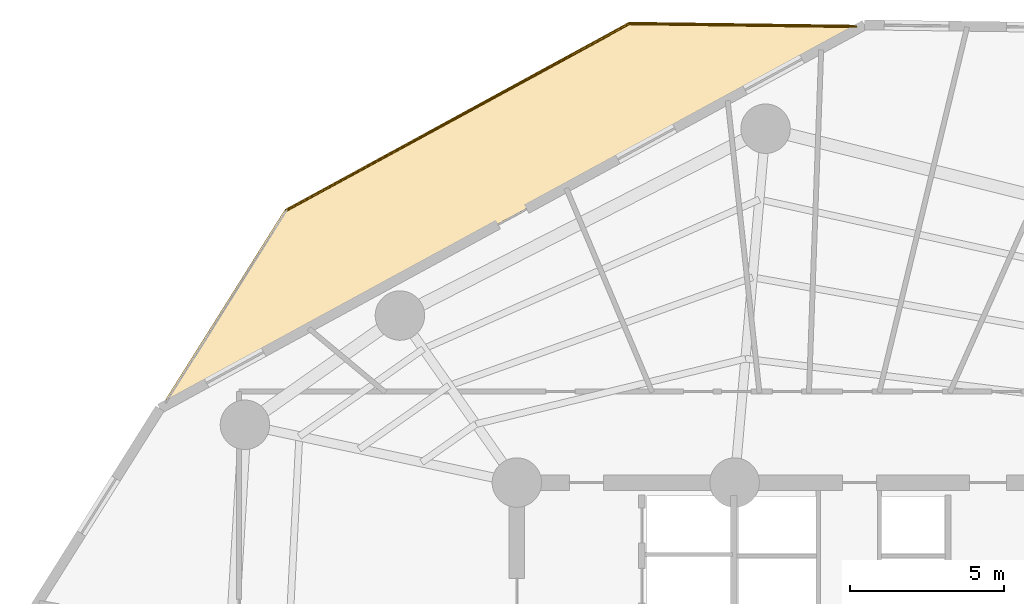
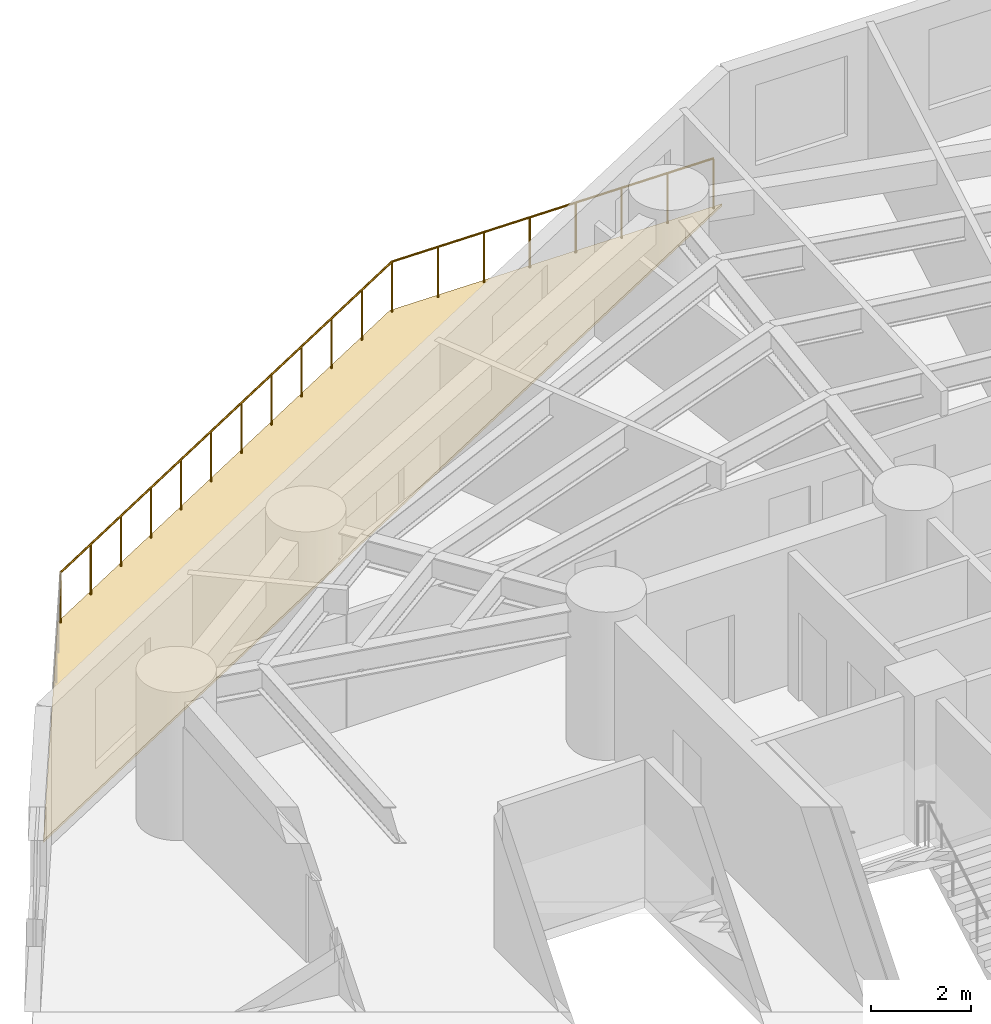
# One storey, part 9 of 9: 2 railings, 1 covering.
"""IFC4 building model written with IfcOpenShell, lengths in metres."""

from ifc_helpers import new_model, si_unit, direction, frame, origin, origin_2d, place, context, subcontext, project, spatial, polyline, circle, outline, extrude, material, layer, layer_set, type_object, element, save


model = new_model("IFC4")

# Units and contexts
model_context = context("Model", 3, precision=1e-05, world=origin(), true_north=direction((0.0, 1.0)))
body_context = subcontext(model_context, "Body", "Model", "MODEL_VIEW")
ifc_project = project(units=[si_unit("LENGTHUNIT", "METRE"), si_unit("AREAUNIT", "SQUARE_METRE"), si_unit("VOLUMEUNIT", "CUBIC_METRE"), si_unit("PLANEANGLEUNIT", "RADIAN"), si_unit("MASSUNIT", "GRAM", prefix="KILO")], contexts=[model_context])

# Site, building, storey
site_placement = place(None, origin())
site = spatial("IfcSite", under=ifc_project, at=site_placement, CompositionType="ELEMENT")
building_placement = place(site_placement, origin())
building = spatial("IfcBuilding", under=site, at=building_placement, Name="Karkom Vertical University and Central Library", CompositionType="ELEMENT")
storey_placement = place(building_placement, frame((0.0, 0.0, 26.5)))
storey = spatial("IfcBuildingStorey", under=building, at=storey_placement, Name="L06", CompositionType="ELEMENT", Elevation=26.5)

# Covering
ifc_material_1 = material(Name="EPDM membrane with Kota stone ballast roofing", Category="masonry")
ifc_layer_1 = layer(ifc_material_1, 0.080078125)
ifc_layer_set_1 = layer_set([ifc_layer_1], Name="EPDM membrane with Kota stone ballast roofing")
covering_type = type_object("IfcCoveringType", Name="ENV-COV-ROOF", PredefinedType="ROOFING", material=ifc_layer_set_1)
covering_placement = place(storey_placement, origin())
element("IfcCovering", 1, at=covering_placement, inside=storey, type_object=covering_type, Name="Level 06 Spiral Sky Garden Waterproofing Covering", PredefinedType="ROOFING", context=body_context, shape_type="SweptSolid", body=[
    extrude(outline(polyline([(12.000732421875, 43.552978515625), (23.135986328125, 49.614013671875), (30.719970703125, 49.515625), (7.966064453125, 37.130615234375), (12.000732421875, 43.552978515625)])), origin(), (0.0, 0.0, 1.0), 0.06005859375),
])

# Railings
ifc_material_2 = material(Name="Architectural painted steel & laminated glass balustrade", Category="steel")
ifc_layer_2 = layer(ifc_material_2, 0.090087890625)
ifc_layer_set_2 = layer_set([ifc_layer_2], Name="Architectural painted steel & laminated glass balustrade")
railing_type = type_object("IfcRailingType", Name="ENV-RL-BAL1300", PredefinedType="BALUSTRADE", material=ifc_layer_set_2)
railing_1_placement = place(storey_placement, frame((12.043212890625, 43.5078125, 0.0)))
element("IfcRailing", 2, at=railing_1_placement, inside=storey, type_object=railing_type, Name="Level 06 Planted Terrace Safety Balustrade 01", PredefinedType="BALUSTRADE", context=body_context, shape_type="SweptSolid", body=[
    extrude(circle(Radius=0.02392578125, at=origin_2d()), frame((0.0, 0.0, 1.27587890625), z_axis=(0.87832165728, 0.478070147941, 0.0), x_axis=(-0.478070147941, 0.87832165728, 0.0)), (0.0, 0.0, 1.0), 12.646484375),
    extrude(circle(Radius=0.02099609375, at=origin_2d()), origin(), (0.0, 0.0, 1.0), 1.251953125),
    extrude(circle(Radius=0.02099609375, at=origin_2d()), frame((1.009765625, 0.549560546875, 0.0)), (0.0, 0.0, 1.0), 1.251953125),
    extrude(circle(Radius=0.02099609375, at=origin_2d()), frame((2.01953125, 1.099365234375, 0.0)), (0.0, 0.0, 1.0), 1.251953125),
    extrude(circle(Radius=0.02099609375, at=origin_2d()), frame((3.029296875, 1.64892578125, 0.0)), (0.0, 0.0, 1.0), 1.251953125),
    extrude(circle(Radius=0.02099609375, at=origin_2d()), frame((4.0390625, 2.198486328125, 0.0)), (0.0, 0.0, 1.0), 1.251953125),
    extrude(circle(Radius=0.02099609375, at=origin_2d()), frame((5.048828125, 2.748046875, 0.0)), (0.0, 0.0, 1.0), 1.251953125),
    extrude(circle(Radius=0.02099609375, at=origin_2d()), frame((6.058837890625, 3.2978515625, 0.0)), (0.0, 0.0, 1.0), 1.251953125),
    extrude(circle(Radius=0.02099609375, at=origin_2d()), frame((7.068603515625, 3.847412109375, 0.0)), (0.0, 0.0, 1.0), 1.251953125),
    extrude(circle(Radius=0.02099609375, at=origin_2d()), frame((8.078369140625, 4.39697265625, 0.0)), (0.0, 0.0, 1.0), 1.251953125),
    extrude(circle(Radius=0.02099609375, at=origin_2d()), frame((9.088134765625, 4.946533203125, 0.0)), (0.0, 0.0, 1.0), 1.251953125),
    extrude(circle(Radius=0.02099609375, at=origin_2d()), frame((10.097900390625, 5.496337890625, 0.0)), (0.0, 0.0, 1.0), 1.251953125),
    extrude(circle(Radius=0.02099609375, at=origin_2d()), frame((11.107666015625, 6.0458984375, 0.0)), (0.0, 0.0, 1.0), 1.251953125),
])
railing_2_placement = place(storey_placement, frame((23.15087890625, 49.5537109375, 0.0)))
element("IfcRailing", 3, at=railing_2_placement, inside=storey, type_object=railing_type, Name="Level 06 Planted Terrace Safety Balustrade 02", PredefinedType="BALUSTRADE", context=body_context, shape_type="SweptSolid", body=[
    extrude(circle(Radius=0.02392578125, at=origin_2d()), frame((0.0, 0.0, 1.27587890625), z_axis=(0.999916272986, -0.01294013208, 0.0), x_axis=(0.01294013208, 0.999916272986, 0.0)), (0.0, 0.0, 1.0), 7.33935546875),
    extrude(circle(Radius=0.02099609375, at=origin_2d()), origin(), (0.0, 0.0, 1.0), 1.251953125),
    extrude(circle(Radius=0.02099609375, at=origin_2d()), frame((1.04833984375, -0.013671875, 0.0)), (0.0, 0.0, 1.0), 1.251953125),
    extrude(circle(Radius=0.02099609375, at=origin_2d()), frame((2.0966796875, -0.027099609375, 0.0)), (0.0, 0.0, 1.0), 1.251953125),
    extrude(circle(Radius=0.02099609375, at=origin_2d()), frame((3.14501953125, -0.040771484375, 0.0)), (0.0, 0.0, 1.0), 1.251953125),
    extrude(circle(Radius=0.02099609375, at=origin_2d()), frame((4.193603515625, -0.05419921875, 0.0)), (0.0, 0.0, 1.0), 1.251953125),
    extrude(circle(Radius=0.02099609375, at=origin_2d()), frame((5.241943359375, -0.06787109375, 0.0)), (0.0, 0.0, 1.0), 1.251953125),
    extrude(circle(Radius=0.02099609375, at=origin_2d()), frame((6.290283203125, -0.081298828125, 0.0)), (0.0, 0.0, 1.0), 1.251953125),
    extrude(circle(Radius=0.02099609375, at=origin_2d()), frame((7.338623046875, -0.094970703125, 0.0)), (0.0, 0.0, 1.0), 1.251953125),
])

save(model, "model.ifc")
